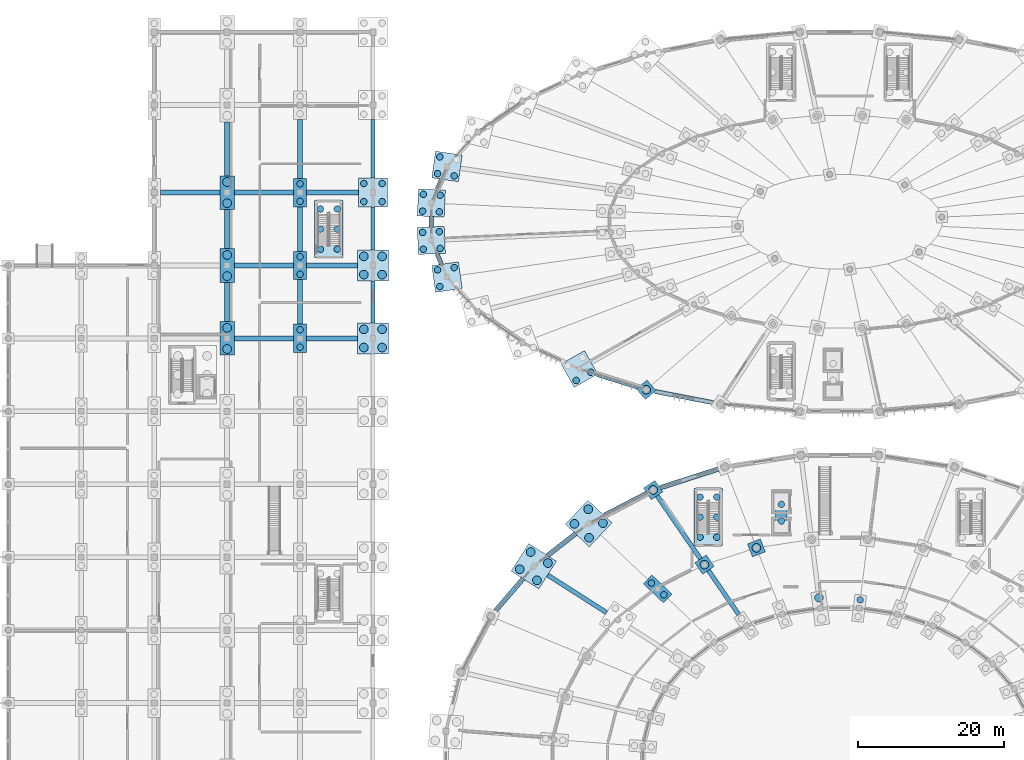
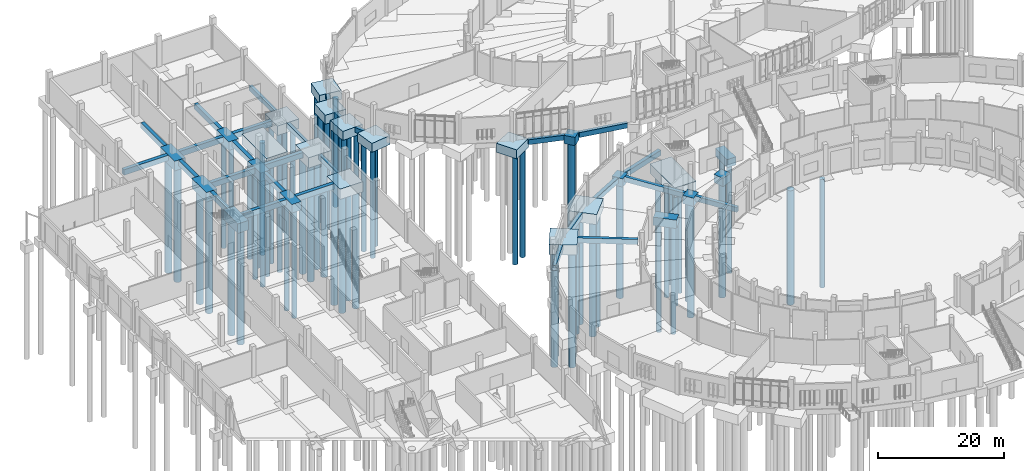
# One storey, part 5 of 140: 70 piles, 52 footings.
"""IFC4 building model written with IfcOpenShell, lengths in metres."""

from ifc_helpers import new_model, si_unit, direction, frame, origin, origin_2d, place, context, subcontext, project, spatial, rectangle, circle, extrude, material, layer, layer_set, material_profile, profile_set, type_object, element, save


model = new_model("IFC4")

# Units and contexts
model_context = context("Model", 3, precision=1e-05, world=origin(), true_north=direction((0.0, 1.0)))
body_context = subcontext(model_context, "Body", "Model", "MODEL_VIEW")
ifc_project = project(units=[si_unit("LENGTHUNIT", "METRE"), si_unit("AREAUNIT", "SQUARE_METRE"), si_unit("VOLUMEUNIT", "CUBIC_METRE"), si_unit("PLANEANGLEUNIT", "RADIAN"), si_unit("MASSUNIT", "GRAM", prefix="KILO")], contexts=[model_context])

# Site, building, storey
site_placement = place(None, origin())
site = spatial("IfcSite", under=ifc_project, at=site_placement, CompositionType="ELEMENT")
building_placement = place(site_placement, origin())
building = spatial("IfcBuilding", under=site, at=building_placement, Name="Corvandel Quay Wholesale Market", CompositionType="ELEMENT")
storey_placement = place(building_placement, origin())
storey = spatial("IfcBuildingStorey", under=building, at=storey_placement, Name="L00", CompositionType="ELEMENT", Elevation=0.0)

# Piles
ifc_material = material(Name="Concrete C40/50", Category="concrete")
ifc_material_profile_1 = material_profile(ifc_material, circle(Radius=0.60009765625, at=origin_2d()), Name="RC-PILE-D1200")
ifc_profile_set_1 = profile_set([ifc_material_profile_1], Name="Concrete C40/50")
pile_type_1 = type_object("IfcPileType", Name="Bored Pile D1200 L22.2", PredefinedType="BORED", material=ifc_profile_set_1)
for number, where, z_axis, x_axis, name in (
    (1, (111.158935546875, 64.43896484375, -1.75), (0.0, 0.0, -1.0), (1.0, 0.0, 0.0), "Bored Pile PIL-0184"),
    (2, (102.580078125, 71.280029296875, -1.5), (0.0, 0.0, -1.0), (1.0, 0.0, 0.0), "Bored Pile PIL-0186"),
    (3, (88.4208984375, 79.219970703125, -1.5), (0.0, 0.0, -1.0), (1.0, 0.0, 0.0), "Bored Pile PIL-0189"),
    (4, (95.4560546875, 68.98388671875, -1.5), (0.0, 0.0, -1.0), (1.0, 0.0, 0.0), "Bored Pile PIL-0190"),
    (5, (79.62890625, 72.673095703125, -1.860107421875), (0.0, 0.0, -1.0), (1.0, 0.0, 0.0), "Bored Pile PIL-0193"),
    (6, (81.528076171875, 74.676025390625, -1.860107421875), (0.0, 0.0, -1.0), (1.0, 0.0, 0.0), "Bored Pile PIL-0194"),
    (7, (77.6259765625, 74.572021484375, -1.860107421875), (0.0, 0.0, -1.0), (1.0, 0.0, 0.0), "Bored Pile PIL-0195"),
    (8, (79.52490234375, 76.574951171875, -1.860107421875), (0.0, 0.0, -1.0), (1.0, 0.0, 0.0), "Bored Pile PIL-0196"),
    (9, (72.48193359375, 66.840087890625, -1.85009765625), (0.0, 0.0, -1.0), (1.0, 0.0, 0.0), "Bored Pile PIL-0201"),
    (10, (73.988037109375, 69.199951171875, -1.85009765625), (0.0, 0.0, -1.0), (1.0, 0.0, 0.0), "Bored Pile PIL-0202"),
    (11, (70.1220703125, 68.345947265625, -1.85009765625), (0.0, 0.0, -1.0), (1.0, 0.0, 0.0), "Bored Pile PIL-0203"),
    (12, (71.6279296875, 70.7060546875, -1.85009765625), (0.0, 0.0, -1.0), (1.0, 0.0, 0.0), "Bored Pile PIL-0204"),
    (13, (87.47412109375, 92.958984375, -1.5), (0.0, 0.0, -1.0), (1.0, 0.0, 0.0), "Bored Pile PIL-0451"),
    (14, (30.0, 98.550048828125, -1.75), (0.0, 0.0, -1.0), (1.0, 0.0, 0.0), "Bored Pile PIL-0656"),
    (15, (30.0, 101.449951171875, -1.75), (0.0, 0.0, -1.0), (1.0, 0.0, 0.0), "Bored Pile PIL-0657"),
    (16, (30.0, 108.550048828125, -1.75), (0.0, 0.0, -1.0), (1.0, 0.0, 0.0), "Bored Pile PIL-0658"),
    (17, (30.0, 111.449951171875, -1.75), (0.0, 0.0, -1.0), (1.0, 0.0, 0.0), "Bored Pile PIL-0659"),
    (18, (30.0, 118.550048828125, -1.75), (0.0, 0.0, -1.0), (1.0, 0.0, 0.0), "Bored Pile PIL-0660"),
    (19, (30.0, 121.449951171875, -1.75), (0.0, 0.0, -1.0), (1.0, 0.0, 0.0), "Bored Pile PIL-0661"),
):
    element("IfcPile", number, at=place(storey_placement, frame(where, z_axis=z_axis, x_axis=x_axis)), inside=storey, type_object=pile_type_1, Name=name, PredefinedType="BORED", context=body_context, shape_type="SweptSolid", body=[
        extrude(circle(Radius=0.60009765625, at=origin_2d()), origin(), (0.0, 0.0, 1.0), 22.199951171875),
    ])
ifc_material_profile_2 = material_profile(ifc_material, circle(Radius=0.60009765625, at=origin_2d()), Name="RC-PILE-D1200")
ifc_profile_set_2 = profile_set([ifc_material_profile_2], Name="Concrete C40/50")
pile_type_2 = type_object("IfcPileType", Name="Bored Pile D1200 L22.6", PredefinedType="BORED", material=ifc_profile_set_2)
for number, where, z_axis, x_axis, name in (
    (20, (48.75, 98.75, -1.89990234375), (0.0, 0.0, -1.0), (1.0, 0.0, 0.0), "Bored Pile PIL-0730"),
    (21, (51.25, 98.75, -1.89990234375), (0.0, 0.0, -1.0), (1.0, 0.0, 0.0), "Bored Pile PIL-0731"),
    (22, (48.75, 101.25, -1.89990234375), (0.0, 0.0, -1.0), (1.0, 0.0, 0.0), "Bored Pile PIL-0732"),
    (23, (51.25, 101.25, -1.89990234375), (0.0, 0.0, -1.0), (1.0, 0.0, 0.0), "Bored Pile PIL-0733"),
    (24, (48.75, 108.75, -1.89990234375), (0.0, 0.0, -1.0), (1.0, 0.0, 0.0), "Bored Pile PIL-0734"),
    (25, (51.25, 108.75, -1.89990234375), (0.0, 0.0, -1.0), (1.0, 0.0, 0.0), "Bored Pile PIL-0735"),
    (26, (48.75, 111.25, -1.89990234375), (0.0, 0.0, -1.0), (1.0, 0.0, 0.0), "Bored Pile PIL-0736"),
    (27, (51.25, 111.25, -1.89990234375), (0.0, 0.0, -1.0), (1.0, 0.0, 0.0), "Bored Pile PIL-0737"),
):
    element("IfcPile", number, at=place(storey_placement, frame(where, z_axis=z_axis, x_axis=x_axis)), inside=storey, type_object=pile_type_2, Name=name, PredefinedType="BORED", context=body_context, shape_type="SweptSolid", body=[
        extrude(circle(Radius=0.60009765625, at=origin_2d()), origin(), (0.0, 0.0, 1.0), 22.60009765625),
    ])
ifc_material_profile_3 = material_profile(ifc_material, circle(Radius=0.449951171875, at=origin_2d()), Name="RC-PILE-D900")
ifc_profile_set_3 = profile_set([ifc_material_profile_3], Name="Concrete C40/50")
pile_type_3 = type_object("IfcPileType", Name="Bored Pile D900 L21.0", PredefinedType="BORED", material=ifc_profile_set_3)
for number, where, z_axis, x_axis, name in (
    (28, (106.0, 74.949951171875, -1.5), (0.0, 0.0, -1.0), (1.0, 0.0, 0.0), "Bored Pile PIL-0007"),
    (29, (106.0, 77.25, -1.5), (0.0, 0.0, -1.0), (1.0, 0.0, 0.0), "Bored Pile PIL-0008"),
    (30, (116.803955078125, 64.14111328125, -1.5), (0.0, 0.0, -1.0), (1.0, 0.0, 0.0), "Bored Pile PIL-0179"),
    (31, (89.89990234375, 64.840087890625, -1.52001953125), (0.0, 0.0, -1.0), (1.0, 0.0, 0.0), "Bored Pile PIL-0197"),
    (32, (88.18603515625, 66.464111328125, -1.52001953125), (0.0, 0.0, -1.0), (1.0, 0.0, 0.0), "Bored Pile PIL-0198"),
    (33, (61.1298828125, 122.284912109375, -1.64990234375), (0.0, 0.0, -1.0), (1.0, 0.0, 0.0), "Bored Pile PIL-0407"),
    (34, (58.85302734375, 122.60595703125, -1.64990234375), (0.0, 0.0, -1.0), (1.0, 0.0, 0.0), "Bored Pile PIL-0409"),
    (35, (59.174072265625, 124.883056640625, -1.64990234375), (0.0, 0.0, -1.0), (1.0, 0.0, 0.0), "Bored Pile PIL-0410"),
    (36, (59.095947265625, 117.360107421875, -1.64990234375), (0.0, 0.0, -1.0), (1.0, 0.0, 0.0), "Bored Pile PIL-0413"),
    (37, (59.200927734375, 119.656982421875, -1.64990234375), (0.0, 0.0, -1.0), (1.0, 0.0, 0.0), "Bored Pile PIL-0414"),
    (38, (56.799072265625, 117.465087890625, -1.64990234375), (0.0, 0.0, -1.0), (1.0, 0.0, 0.0), "Bored Pile PIL-0415"),
    (39, (56.904052734375, 119.761962890625, -1.64990234375), (0.0, 0.0, -1.0), (1.0, 0.0, 0.0), "Bored Pile PIL-0416"),
    (40, (59.200927734375, 112.343017578125, -1.64990234375), (0.0, 0.0, -1.0), (1.0, 0.0, 0.0), "Bored Pile PIL-0419"),
    (41, (59.095947265625, 114.639892578125, -1.64990234375), (0.0, 0.0, -1.0), (1.0, 0.0, 0.0), "Bored Pile PIL-0420"),
    (42, (56.904052734375, 112.238037109375, -1.64990234375), (0.0, 0.0, -1.0), (1.0, 0.0, 0.0), "Bored Pile PIL-0421"),
    (43, (56.799072265625, 114.534912109375, -1.64990234375), (0.0, 0.0, -1.0), (1.0, 0.0, 0.0), "Bored Pile PIL-0422"),
    (44, (61.1298828125, 109.715087890625, -1.64990234375), (0.0, 0.0, -1.0), (1.0, 0.0, 0.0), "Bored Pile PIL-0427"),
    (45, (59.174072265625, 107.116943359375, -1.64990234375), (0.0, 0.0, -1.0), (1.0, 0.0, 0.0), "Bored Pile PIL-0428"),
    (46, (58.85302734375, 109.39404296875, -1.64990234375), (0.0, 0.0, -1.0), (1.0, 0.0, 0.0), "Bored Pile PIL-0429"),
    (47, (79.868896484375, 95.368896484375, -1.64990234375), (0.0, 0.0, -1.0), (1.0, 0.0, 0.0), "Bored Pile PIL-0444"),
    (48, (77.866943359375, 94.237060546875, -1.64990234375), (0.0, 0.0, -1.0), (1.0, 0.0, 0.0), "Bored Pile PIL-0446"),
    (49, (40.0, 98.800048828125, -1.550048828125), (0.0, 0.0, -1.0), (1.0, 0.0, 0.0), "Bored Pile PIL-0684"),
    (50, (40.0, 101.199951171875, -1.550048828125), (0.0, 0.0, -1.0), (1.0, 0.0, 0.0), "Bored Pile PIL-0685"),
    (51, (40.0, 108.800048828125, -1.550048828125), (0.0, 0.0, -1.0), (1.0, 0.0, 0.0), "Bored Pile PIL-0686"),
    (52, (40.0, 111.199951171875, -1.550048828125), (0.0, 0.0, -1.0), (1.0, 0.0, 0.0), "Bored Pile PIL-0687"),
    (53, (40.0, 118.800048828125, -1.550048828125), (0.0, 0.0, -1.0), (1.0, 0.0, 0.0), "Bored Pile PIL-0688"),
    (54, (40.0, 121.199951171875, -1.550048828125), (0.0, 0.0, -1.0), (1.0, 0.0, 0.0), "Bored Pile PIL-0689"),
):
    element("IfcPile", number, at=place(storey_placement, frame(where, z_axis=z_axis, x_axis=x_axis)), inside=storey, type_object=pile_type_3, Name=name, PredefinedType="BORED", context=body_context, shape_type="SweptSolid", body=[
        extrude(circle(Radius=0.449951171875, at=origin_2d()), origin(), (0.0, 0.0, 1.0), 21.0),
    ])
ifc_material_profile_4 = material_profile(ifc_material, circle(Radius=0.449951171875, at=origin_2d()), Name="RC-PILE-D900")
ifc_profile_set_4 = profile_set([ifc_material_profile_4], Name="Concrete C40/50")
pile_type_4 = type_object("IfcPileType", Name="Bored Pile D900 L21.8", PredefinedType="BORED", material=ifc_profile_set_4)
for number, where, z_axis, x_axis, name in (
    (55, (94.85009765625, 72.75, -1.800048828125), (0.0, 0.0, -1.0), (1.0, 0.0, 0.0), "Bored Pile PIL-0001"),
    (56, (97.14990234375, 72.75, -1.800048828125), (0.0, 0.0, -1.0), (1.0, 0.0, 0.0), "Bored Pile PIL-0002"),
    (57, (94.85009765625, 75.5, -1.800048828125), (0.0, 0.0, -1.0), (1.0, 0.0, 0.0), "Bored Pile PIL-0003"),
    (58, (97.14990234375, 75.5, -1.800048828125), (0.0, 0.0, -1.0), (1.0, 0.0, 0.0), "Bored Pile PIL-0004"),
    (59, (94.85009765625, 78.25, -1.800048828125), (0.0, 0.0, -1.0), (1.0, 0.0, 0.0), "Bored Pile PIL-0005"),
    (60, (97.14990234375, 78.25, -1.800048828125), (0.0, 0.0, -1.0), (1.0, 0.0, 0.0), "Bored Pile PIL-0006"),
    (61, (42.800048828125, 112.25, -1.800048828125), (0.0, 0.0, -1.0), (1.0, 0.0, 0.0), "Bored Pile PIL-0095"),
    (62, (45.10009765625, 112.25, -1.800048828125), (0.0, 0.0, -1.0), (1.0, 0.0, 0.0), "Bored Pile PIL-0096"),
    (63, (42.800048828125, 115.0, -1.800048828125), (0.0, 0.0, -1.0), (1.0, 0.0, 0.0), "Bored Pile PIL-0097"),
    (64, (45.10009765625, 115.0, -1.800048828125), (0.0, 0.0, -1.0), (1.0, 0.0, 0.0), "Bored Pile PIL-0098"),
    (65, (42.800048828125, 117.75, -1.800048828125), (0.0, 0.0, -1.0), (1.0, 0.0, 0.0), "Bored Pile PIL-0099"),
    (66, (45.10009765625, 117.75, -1.800048828125), (0.0, 0.0, -1.0), (1.0, 0.0, 0.0), "Bored Pile PIL-0100"),
    (67, (48.75, 118.75, -1.75), (0.0, 0.0, -1.0), (1.0, 0.0, 0.0), "Bored Pile PIL-0738"),
    (68, (51.25, 118.75, -1.75), (0.0, 0.0, -1.0), (1.0, 0.0, 0.0), "Bored Pile PIL-0739"),
    (69, (48.75, 121.25, -1.75), (0.0, 0.0, -1.0), (1.0, 0.0, 0.0), "Bored Pile PIL-0740"),
    (70, (51.25, 121.25, -1.75), (0.0, 0.0, -1.0), (1.0, 0.0, 0.0), "Bored Pile PIL-0741"),
):
    element("IfcPile", number, at=place(storey_placement, frame(where, z_axis=z_axis, x_axis=x_axis)), inside=storey, type_object=pile_type_4, Name=name, PredefinedType="BORED", context=body_context, shape_type="SweptSolid", body=[
        extrude(circle(Radius=0.449951171875, at=origin_2d()), origin(), (0.0, 0.0, 1.0), 21.800048828125),
    ])

# Footings
ifc_layer_1 = layer(ifc_material, 1.050048828125)
ifc_layer_set_1 = layer_set([ifc_layer_1], Name="Concrete C40/50")
footing_type_1 = type_object("IfcFootingType", Name="Cold Store Grade Beam GB04 650x1050", PredefinedType="FOOTING_BEAM", material=ifc_layer_set_1)
footing_1_placement = place(storey_placement, frame((35.06201171875, 100.0, -1.0498046875), z_axis=(0.0, 0.0, 1.0), x_axis=(1.0, 0.0, 0.0)))
element("IfcFooting", 71, at=footing_1_placement, inside=storey, type_object=footing_type_1, Name="Grade Beam FND-0535", PredefinedType="FOOTING_BEAM", context=body_context, shape_type="SweptSolid", body=[
    extrude(rectangle(XDim=8.125, YDim=0.64990234375, at=origin_2d()), origin(), (0.0, 0.0, 1.0), 1.050048828125),
])
footing_2_placement = place(storey_placement, frame((44.387939453125, 100.0, -1.0498046875), z_axis=(0.0, 0.0, 1.0), x_axis=(1.0, 0.0, 0.0)))
element("IfcFooting", 72, at=footing_2_placement, inside=storey, type_object=footing_type_1, Name="Grade Beam FND-0536", PredefinedType="FOOTING_BEAM", context=body_context, shape_type="SweptSolid", body=[
    extrude(rectangle(XDim=7.02490234375, YDim=0.64990234375, at=origin_2d()), origin(), (0.0, 0.0, 1.0), 1.050048828125),
])
footing_3_placement = place(storey_placement, frame((35.06201171875, 110.0, -1.0498046875), z_axis=(0.0, 0.0, 1.0), x_axis=(1.0, 0.0, 0.0)))
element("IfcFooting", 73, at=footing_3_placement, inside=storey, type_object=footing_type_1, Name="Grade Beam FND-0540", PredefinedType="FOOTING_BEAM", context=body_context, shape_type="SweptSolid", body=[
    extrude(rectangle(XDim=8.125, YDim=0.64990234375, at=origin_2d()), origin(), (0.0, 0.0, 1.0), 1.050048828125),
])
footing_4_placement = place(storey_placement, frame((44.387939453125, 110.0, -1.0498046875), z_axis=(0.0, 0.0, 1.0), x_axis=(1.0, 0.0, 0.0)))
element("IfcFooting", 74, at=footing_4_placement, inside=storey, type_object=footing_type_1, Name="Grade Beam FND-0541", PredefinedType="FOOTING_BEAM", context=body_context, shape_type="SweptSolid", body=[
    extrude(rectangle(XDim=7.02490234375, YDim=0.64990234375, at=origin_2d()), origin(), (0.0, 0.0, 1.0), 1.050048828125),
])
for number, where, z_axis, x_axis, name in (
    (75, (24.93798828125, 120.0, -1.0498046875), (0.0, 0.0, 1.0), (1.0, 0.0, 0.0), "Grade Beam FND-0542"),
    (76, (35.06201171875, 120.0, -1.0498046875), (0.0, 0.0, 1.0), (1.0, 0.0, 0.0), "Grade Beam FND-0543"),
):
    element("IfcFooting", number, at=place(storey_placement, frame(where, z_axis=z_axis, x_axis=x_axis)), inside=storey, type_object=footing_type_1, Name=name, PredefinedType="FOOTING_BEAM", context=body_context, shape_type="SweptSolid", body=[
        extrude(rectangle(XDim=8.125, YDim=0.64990234375, at=origin_2d()), origin(), (0.0, 0.0, 1.0), 1.050048828125),
    ])
footing_5_placement = place(storey_placement, frame((44.43798828125, 120.0, -1.0498046875), z_axis=(0.0, 0.0, 1.0), x_axis=(1.0, 0.0, 0.0)))
element("IfcFooting", 77, at=footing_5_placement, inside=storey, type_object=footing_type_1, Name="Grade Beam FND-0544", PredefinedType="FOOTING_BEAM", context=body_context, shape_type="SweptSolid", body=[
    extrude(rectangle(XDim=7.125, YDim=0.64990234375, at=origin_2d()), origin(), (0.0, 0.0, 1.0), 1.050048828125),
])
for number, where, z_axis, x_axis, name in (
    (78, (30.0, 105.0, -1.0498046875), (0.0, 0.0, 1.0), (0.0, 1.0, 0.0), "Grade Beam FND-0593"),
    (79, (30.0, 115.0, -1.0498046875), (0.0, 0.0, 1.0), (0.0, 1.0, 0.0), "Grade Beam FND-0594"),
):
    element("IfcFooting", number, at=place(storey_placement, frame(where, z_axis=z_axis, x_axis=x_axis)), inside=storey, type_object=footing_type_1, Name=name, PredefinedType="FOOTING_BEAM", context=body_context, shape_type="SweptSolid", body=[
        extrude(rectangle(XDim=5.39990234375, YDim=0.64990234375, at=origin_2d()), origin(), (0.0, 0.0, 1.0), 1.050048828125),
    ])
footing_6_placement = place(storey_placement, frame((30.0, 126.0, -1.0498046875), z_axis=(0.0, 0.0, 1.0), x_axis=(0.0, 1.0, 0.0)))
element("IfcFooting", 80, at=footing_6_placement, inside=storey, type_object=footing_type_1, Name="Grade Beam FND-0595", PredefinedType="FOOTING_BEAM", context=body_context, shape_type="SweptSolid", body=[
    extrude(rectangle(XDim=7.39990234375, YDim=0.64990234375, at=origin_2d()), origin(), (0.0, 0.0, 1.0), 1.050048828125),
])
for number, where, z_axis, x_axis, name in (
    (81, (40.0, 105.0, -1.0498046875), (0.0, 0.0, 1.0), (0.0, 1.0, 0.0), "Grade Beam FND-0606"),
    (82, (40.0, 115.0, -1.0498046875), (0.0, 0.0, 1.0), (0.0, 1.0, 0.0), "Grade Beam FND-0607"),
):
    element("IfcFooting", number, at=place(storey_placement, frame(where, z_axis=z_axis, x_axis=x_axis)), inside=storey, type_object=footing_type_1, Name=name, PredefinedType="FOOTING_BEAM", context=body_context, shape_type="SweptSolid", body=[
        extrude(rectangle(XDim=6.10009765625, YDim=0.64990234375, at=origin_2d()), origin(), (0.0, 0.0, 1.0), 1.050048828125),
    ])
footing_7_placement = place(storey_placement, frame((40.0, 126.0, -1.0498046875), z_axis=(0.0, 0.0, 1.0), x_axis=(0.0, 1.0, 0.0)))
element("IfcFooting", 83, at=footing_7_placement, inside=storey, type_object=footing_type_1, Name="Grade Beam FND-0608", PredefinedType="FOOTING_BEAM", context=body_context, shape_type="SweptSolid", body=[
    extrude(rectangle(XDim=8.10009765625, YDim=0.64990234375, at=origin_2d()), origin(), (0.0, 0.0, 1.0), 1.050048828125),
])
ifc_layer_2 = layer(ifc_material, 0.89990234375)
ifc_layer_set_2 = layer_set([ifc_layer_2], Name="Concrete C40/50")
footing_type_2 = type_object("IfcFootingType", Name="Perimeter Grade Beam GB03 550x900", PredefinedType="FOOTING_BEAM", material=ifc_layer_set_2)
footing_8_placement = place(storey_placement, frame((50.0, 105.0, -0.89990234375), z_axis=(0.0, 0.0, 1.0), x_axis=(0.0, 1.0, 0.0)))
element("IfcFooting", 84, at=footing_8_placement, inside=storey, type_object=footing_type_2, Name="Grade Beam FND-0619", PredefinedType="FOOTING_BEAM", context=body_context, shape_type="SweptSolid", body=[
    extrude(rectangle(XDim=5.800048828125, YDim=0.550048828125, at=origin_2d()), origin(), (0.0, 0.0, 1.0), 0.89990234375),
])
footing_9_placement = place(storey_placement, frame((50.0, 115.050048828125, -0.89990234375), z_axis=(0.0, 0.0, 1.0), x_axis=(0.0, 1.0, 0.0)))
element("IfcFooting", 85, at=footing_9_placement, inside=storey, type_object=footing_type_2, Name="Grade Beam FND-0620", PredefinedType="FOOTING_BEAM", context=body_context, shape_type="SweptSolid", body=[
    extrude(rectangle(XDim=5.89990234375, YDim=0.550048828125, at=origin_2d()), origin(), (0.0, 0.0, 1.0), 0.89990234375),
])
footing_10_placement = place(storey_placement, frame((50.0, 126.0, -0.89990234375), z_axis=(0.0, 0.0, 1.0), x_axis=(0.0, 1.0, 0.0)))
element("IfcFooting", 86, at=footing_10_placement, inside=storey, type_object=footing_type_2, Name="Grade Beam FND-0621", PredefinedType="FOOTING_BEAM", context=body_context, shape_type="SweptSolid", body=[
    extrude(rectangle(XDim=8.0, YDim=0.550048828125, at=origin_2d()), origin(), (0.0, 0.0, 1.0), 0.89990234375),
])
ifc_layer_3 = layer(ifc_material, 1.60009765625)
ifc_layer_set_3 = layer_set([ifc_layer_3], Name="Concrete C40/50")
footing_type_3 = type_object("IfcFootingType", Name="Pile Cap PC01 1600x3700x1600", PredefinedType="PILE_CAP", material=ifc_layer_set_3)
footing_11_placement = place(storey_placement, frame((106.0, 76.10009765625, -1.60009765625), z_axis=(0.0, 0.0, 1.0), x_axis=(1.0, 0.0, 0.0)))
element("IfcFooting", 87, at=footing_11_placement, inside=storey, type_object=footing_type_3, Name="Pile Cap FND-0002", PredefinedType="PILE_CAP", context=body_context, shape_type="SweptSolid", body=[
    extrude(rectangle(XDim=1.60009765625, YDim=3.699951171875, at=origin_2d()), origin(), (0.0, 0.0, 1.0), 1.60009765625),
])
ifc_layer_4 = layer(ifc_material, 1.64990234375)
ifc_layer_set_4 = layer_set([ifc_layer_4], Name="Concrete C40/50")
footing_type_4 = type_object("IfcFootingType", Name="Pile Cap PC03 1750x3900x1650", PredefinedType="PILE_CAP", material=ifc_layer_set_4)
for number, where, z_axis, x_axis, name in (
    (88, (40.0, 100.0, -1.64990234375), (0.0, 0.0, 1.0), (1.0, 0.0, 0.0), "Pile Cap FND-0468"),
    (89, (40.0, 110.0, -1.64990234375), (0.0, 0.0, 1.0), (1.0, 0.0, 0.0), "Pile Cap FND-0469"),
    (90, (40.0, 120.0, -1.64990234375), (0.0, 0.0, 1.0), (1.0, 0.0, 0.0), "Pile Cap FND-0470"),
):
    element("IfcFooting", number, at=place(storey_placement, frame(where, z_axis=z_axis, x_axis=x_axis)), inside=storey, type_object=footing_type_4, Name=name, PredefinedType="PILE_CAP", context=body_context, shape_type="SweptSolid", body=[
        extrude(rectangle(XDim=1.75, YDim=3.89990234375, at=origin_2d()), origin(), (0.0, 0.0, 1.0), 1.64990234375),
    ])
ifc_layer_5 = layer(ifc_material, 1.75)
ifc_layer_set_5 = layer_set([ifc_layer_5], Name="Concrete C40/50")
footing_type_5 = type_object("IfcFootingType", Name="Pile Cap PC05 3700x3700x1750", PredefinedType="PILE_CAP", material=ifc_layer_set_5)
for number, where, z_axis, x_axis, name in (
    (91, (60.152099609375, 123.583984375, -1.75), (0.0, 0.0, 1.0), (0.13951876124, 0.990219427835, 0.0), "Pile Cap FND-0247"),
    (92, (58.0, 118.56103515625, -1.75), (0.0, 0.0, 1.0), (0.04571169187, 0.99895467426, 0.0), "Pile Cap FND-0249"),
    (93, (58.0, 113.43896484375, -1.75), (0.0, 0.0, 1.0), (-0.04571169187, 0.99895467426, 0.0), "Pile Cap FND-0251"),
    (94, (60.152099609375, 108.416015625, -1.75), (0.0, 0.0, 1.0), (-0.13951876124, 0.990219427835, 0.0), "Pile Cap FND-0254"),
    (95, (78.302001953125, 95.803955078125, -1.75), (0.0, 0.0, 1.0), (-0.492423560103, 0.87035569594, 0.0), "Pile Cap FND-0260"),
):
    element("IfcFooting", number, at=place(storey_placement, frame(where, z_axis=z_axis, x_axis=x_axis)), inside=storey, type_object=footing_type_5, Name=name, PredefinedType="PILE_CAP", context=body_context, shape_type="SweptSolid", body=[
        extrude(rectangle(XDim=3.699951171875, YDim=3.699951171875, at=origin_2d()), origin(), (0.0, 0.0, 1.0), 1.75),
    ])
ifc_layer_6 = layer(ifc_material, 1.85009765625)
ifc_layer_set_6 = layer_set([ifc_layer_6], Name="Concrete C40/50")
footing_type_6 = type_object("IfcFootingType", Name="Pile Cap PC07 4000x4000x1850", PredefinedType="PILE_CAP", material=ifc_layer_set_6)
footing_12_placement = place(storey_placement, frame((50.0, 120.0, -1.85009765625), z_axis=(0.0, 0.0, 1.0), x_axis=(1.0, 0.0, 0.0)))
element("IfcFooting", 96, at=footing_12_placement, inside=storey, type_object=footing_type_6, Name="Pile Cap FND-0484", PredefinedType="PILE_CAP", context=body_context, shape_type="SweptSolid", body=[
    extrude(rectangle(XDim=4.0, YDim=4.0, at=origin_2d()), origin(), (0.0, 0.0, 1.0), 1.85009765625),
])
ifc_layer_7 = layer(ifc_material, 1.85009765625)
ifc_layer_set_7 = layer_set([ifc_layer_7], Name="Concrete C40/50")
footing_type_7 = type_object("IfcFootingType", Name="Pile Cap PC09 2000x4600x1850", PredefinedType="PILE_CAP", material=ifc_layer_set_7)
for number, where, z_axis, x_axis, name in (
    (97, (30.0, 100.0, -1.85009765625), (0.0, 0.0, 1.0), (1.0, 0.0, 0.0), "Pile Cap FND-0454"),
    (98, (30.0, 110.0, -1.85009765625), (0.0, 0.0, 1.0), (1.0, 0.0, 0.0), "Pile Cap FND-0455"),
    (99, (30.0, 120.0, -1.85009765625), (0.0, 0.0, 1.0), (1.0, 0.0, 0.0), "Pile Cap FND-0456"),
):
    element("IfcFooting", number, at=place(storey_placement, frame(where, z_axis=z_axis, x_axis=x_axis)), inside=storey, type_object=footing_type_7, Name=name, PredefinedType="PILE_CAP", context=body_context, shape_type="SweptSolid", body=[
        extrude(rectangle(XDim=2.0, YDim=4.60009765625, at=origin_2d()), origin(), (0.0, 0.0, 1.0), 1.85009765625),
    ])
ifc_layer_8 = layer(ifc_material, 1.949951171875)
ifc_layer_set_8 = layer_set([ifc_layer_8], Name="Concrete C40/50")
footing_type_8 = type_object("IfcFootingType", Name="Pile Cap PC11 4500x4500x1950", PredefinedType="PILE_CAP", material=ifc_layer_set_8)
footing_13_placement = place(storey_placement, frame((72.054931640625, 68.77294921875, -1.9501953125), z_axis=(0.0, 0.0, 1.0), x_axis=(0.538035401546, 0.842922242371, 0.0)))
element("IfcFooting", 100, at=footing_13_placement, inside=storey, type_object=footing_type_8, Name="Pile Cap FND-0059", PredefinedType="PILE_CAP", context=body_context, shape_type="SweptSolid", body=[
    extrude(rectangle(XDim=4.5, YDim=4.5, at=origin_2d()), origin(), (0.0, 0.0, 1.0), 1.949951171875),
])
ifc_layer_9 = layer(ifc_material, 2.0)
ifc_layer_set_9 = layer_set([ifc_layer_9], Name="Concrete C40/50")
footing_type_9 = type_object("IfcFootingType", Name="Pile Cap PC12 4200x4200x2000", PredefinedType="PILE_CAP", material=ifc_layer_set_9)
for number, where, z_axis, x_axis, name in (
    (101, (50.0, 100.0, -2.0), (0.0, 0.0, 1.0), (1.0, 0.0, 0.0), "Pile Cap FND-0482"),
    (102, (50.0, 110.0, -2.0), (0.0, 0.0, 1.0), (1.0, 0.0, 0.0), "Pile Cap FND-0483"),
):
    element("IfcFooting", number, at=place(storey_placement, frame(where, z_axis=z_axis, x_axis=x_axis)), inside=storey, type_object=footing_type_9, Name=name, PredefinedType="PILE_CAP", context=body_context, shape_type="SweptSolid", body=[
        extrude(rectangle(XDim=4.199951171875, YDim=4.199951171875, at=origin_2d()), origin(), (0.0, 0.0, 1.0), 2.0),
    ])
ifc_layer_10 = layer(ifc_material, 1.60009765625)
ifc_layer_set_10 = layer_set([ifc_layer_10], Name="Concrete C40/50")
footing_type_10 = type_object("IfcFootingType", Name="Pile Cap PC16 1900x1900x1600", PredefinedType="PILE_CAP", material=ifc_layer_set_10)
for number, where, z_axis, x_axis, name in (
    (103, (102.580078125, 71.280029296875, -1.60009765625), (0.0, 0.0, 1.0), (0.931627814096, 0.363413835735, 0.0), "Pile Cap FND-0051"),
    (104, (88.4208984375, 79.219970703125, -1.60009765625), (0.0, 0.0, 1.0), (0.824126188622, 0.566406236925, 0.0), "Pile Cap FND-0053"),
    (105, (95.4560546875, 68.98388671875, -1.60009765625), (0.0, 0.0, 1.0), (0.824126188622, 0.566406236925, 0.0), "Pile Cap FND-0054"),
    (106, (87.47412109375, 92.958984375, -1.60009765625), (0.0, 0.0, 1.0), (-0.655795545685, 0.754938542041, 0.0), "Pile Cap FND-0263"),
):
    element("IfcFooting", number, at=place(storey_placement, frame(where, z_axis=z_axis, x_axis=x_axis)), inside=storey, type_object=footing_type_10, Name=name, PredefinedType="PILE_CAP", context=body_context, shape_type="SweptSolid", body=[
        extrude(rectangle(XDim=1.89990234375, YDim=1.89990234375, at=origin_2d()), origin(), (0.0, 0.0, 1.0), 1.60009765625),
    ])
ifc_layer_11 = layer(ifc_material, 1.6201171875)
ifc_layer_set_11 = layer_set([ifc_layer_11], Name="Concrete C40/50")
footing_type_11 = type_object("IfcFootingType", Name="Pile Cap PC21 1680x3800x1620", PredefinedType="PILE_CAP", material=ifc_layer_set_11)
footing_14_placement = place(storey_placement, frame((89.04296875, 65.652099609375, -1.6201171875), z_axis=(0.0, 0.0, 1.0), x_axis=(0.687848001144, 0.725854756355, 0.0)))
element("IfcFooting", 107, at=footing_14_placement, inside=storey, type_object=footing_type_11, Name="Pile Cap FND-0057", PredefinedType="PILE_CAP", context=body_context, shape_type="SweptSolid", body=[
    extrude(rectangle(XDim=1.679931640625, YDim=3.800048828125, at=origin_2d()), origin(), (0.0, 0.0, 1.0), 1.6201171875),
])
ifc_layer_12 = layer(ifc_material, 1.9599609375)
ifc_layer_set_12 = layer_set([ifc_layer_12], Name="Concrete C40/50")
footing_type_12 = type_object("IfcFootingType", Name="Pile Cap PC23 4520x4520x1960", PredefinedType="PILE_CAP", material=ifc_layer_set_12)
footing_15_placement = place(storey_placement, frame((79.576904296875, 74.6240234375, -1.9599609375), z_axis=(0.0, 0.0, 1.0), x_axis=(0.687848001144, 0.725854756355, 0.0)))
element("IfcFooting", 108, at=footing_15_placement, inside=storey, type_object=footing_type_12, Name="Pile Cap FND-0056", PredefinedType="PILE_CAP", context=body_context, shape_type="SweptSolid", body=[
    extrude(rectangle(XDim=4.52001953125, YDim=4.52001953125, at=origin_2d()), origin(), (0.0, 0.0, 1.0), 1.9599609375),
])
ifc_layer_13 = layer(ifc_material, 0.949951171875)
ifc_layer_set_13 = layer_set([ifc_layer_13], Name="Concrete C40/50")
footing_type_13 = type_object("IfcFootingType", Name="Seismic Tie Beam GB01 600x950", PredefinedType="FOOTING_BEAM", material=ifc_layer_set_13)
footing_16_placement = place(storey_placement, frame((91.93896484375, 74.10205078125, -0.9501953125), z_axis=(0.0, 0.0, 1.0), x_axis=(-0.566406236925, 0.824126188622, 0.0)))
element("IfcFooting", 109, at=footing_16_placement, inside=storey, type_object=footing_type_13, Name="Grade Beam FND-0151", PredefinedType="FOOTING_BEAM", context=body_context, shape_type="SweptSolid", body=[
    extrude(rectangle(XDim=10.52001953125, YDim=0.60009765625, at=origin_2d()), origin(), (0.0, 0.0, 1.0), 0.949951171875),
])
footing_17_placement = place(storey_placement, frame((98.0791015625, 65.16796875, -0.9501953125), z_axis=(0.0, 0.0, 1.0), x_axis=(-0.566406236925, 0.824126188622, 0.0)))
element("IfcFooting", 110, at=footing_17_placement, inside=storey, type_object=footing_type_13, Name="Grade Beam FND-0152", PredefinedType="FOOTING_BEAM", context=body_context, shape_type="SweptSolid", body=[
    extrude(rectangle(XDim=7.361083984375, YDim=0.60009765625, at=origin_2d()), origin(), (0.0, 0.0, 1.0), 0.949951171875),
])
footing_18_placement = place(storey_placement, frame((77.990966796875, 64.98388671875, -0.9501953125), z_axis=(0.0, 0.0, 1.0), x_axis=(-0.842922242371, 0.538035401546, 0.0)))
element("IfcFooting", 111, at=footing_18_placement, inside=storey, type_object=footing_type_13, Name="Grade Beam FND-0157", PredefinedType="FOOTING_BEAM", context=body_context, shape_type="SweptSolid", body=[
    extrude(rectangle(XDim=9.583984375, YDim=0.60009765625, at=origin_2d()), origin(), (0.0, 0.0, 1.0), 0.949951171875),
])
footing_19_placement = place(storey_placement, frame((59.087890625, 121.10009765625, -0.9501953125), z_axis=(0.0, 0.0, 1.0), x_axis=(0.393781484212, 0.919204081089, 0.0)))
element("IfcFooting", 112, at=footing_19_placement, inside=storey, type_object=footing_type_13, Name="Grade Beam FND-0308", PredefinedType="FOOTING_BEAM", context=body_context, shape_type="SweptSolid", body=[
    extrude(rectangle(XDim=1.572021484375, YDim=0.60009765625, at=origin_2d()), origin(), (0.0, 0.0, 1.0), 0.949951171875),
])
footing_20_placement = place(storey_placement, frame((58.0, 116.0, -0.9501953125), z_axis=(0.0, 0.0, 1.0), x_axis=(0.0, 1.0, 0.0)))
element("IfcFooting", 113, at=footing_20_placement, inside=storey, type_object=footing_type_13, Name="Grade Beam FND-0310", PredefinedType="FOOTING_BEAM", context=body_context, shape_type="SweptSolid", body=[
    extrude(rectangle(XDim=1.41796875, YDim=0.60009765625, at=origin_2d()), origin(), (0.0, 0.0, 1.0), 0.949951171875),
])
footing_21_placement = place(storey_placement, frame((59.087890625, 110.89990234375, -0.9501953125), z_axis=(0.0, 0.0, 1.0), x_axis=(-0.393781484212, 0.919204081089, 0.0)))
element("IfcFooting", 114, at=footing_21_placement, inside=storey, type_object=footing_type_13, Name="Grade Beam FND-0311", PredefinedType="FOOTING_BEAM", context=body_context, shape_type="SweptSolid", body=[
    extrude(rectangle(XDim=1.572021484375, YDim=0.60009765625, at=origin_2d()), origin(), (0.0, 0.0, 1.0), 0.949951171875),
])
footing_22_placement = place(storey_placement, frame((83.568115234375, 94.1708984375, -0.9501953125), z_axis=(0.0, 0.0, 1.0), x_axis=(-0.955123398809, 0.296208192067, 0.0)))
element("IfcFooting", 115, at=footing_22_placement, inside=storey, type_object=footing_type_13, Name="Grade Beam FND-0317", PredefinedType="FOOTING_BEAM", context=body_context, shape_type="SweptSolid", body=[
    extrude(rectangle(XDim=5.945068359375, YDim=0.60009765625, at=origin_2d()), origin(), (0.0, 0.0, 1.0), 0.949951171875),
])
footing_23_placement = place(storey_placement, frame((92.657958984375, 91.9619140625, -0.9501953125), z_axis=(0.0, 0.0, 1.0), x_axis=(-0.981991701121, 0.188924055984, 0.0)))
element("IfcFooting", 116, at=footing_23_placement, inside=storey, type_object=footing_type_13, Name="Grade Beam FND-0319", PredefinedType="FOOTING_BEAM", context=body_context, shape_type="SweptSolid", body=[
    extrude(rectangle(XDim=8.14306640625, YDim=0.60009765625, at=origin_2d()), origin(), (0.0, 0.0, 1.0), 0.949951171875),
])
ifc_layer_14 = layer(ifc_material, 1.0)
ifc_layer_set_14 = layer_set([ifc_layer_14], Name="Concrete C40/50")
footing_type_14 = type_object("IfcFootingType", Name="Seismic Tie Beam GB02 650x1000", PredefinedType="FOOTING_BEAM", material=ifc_layer_set_14)
footing_24_placement = place(storey_placement, frame((93.35400390625, 80.80908203125, -1.0), z_axis=(0.0, 0.0, 1.0), x_axis=(0.951808747363, 0.306692204733, 0.0)))
element("IfcFooting", 117, at=footing_24_placement, inside=storey, type_object=footing_type_14, Name="Grade Beam FND-0147", PredefinedType="FOOTING_BEAM", context=body_context, shape_type="SweptSolid", body=[
    extrude(rectangle(XDim=8.382080078125, YDim=0.64990234375, at=origin_2d()), origin(), (0.0, 0.0, 1.0), 1.0),
])
footing_25_placement = place(storey_placement, frame((84.635009765625, 77.2529296875, -1.0), z_axis=(0.0, 0.0, 1.0), x_axis=(0.887332978338, 0.461129250378, 0.0)))
element("IfcFooting", 118, at=footing_25_placement, inside=storey, type_object=footing_type_14, Name="Grade Beam FND-0149", PredefinedType="FOOTING_BEAM", context=body_context, shape_type="SweptSolid", body=[
    extrude(rectangle(XDim=6.617919921875, YDim=0.64990234375, at=origin_2d()), origin(), (0.0, 0.0, 1.0), 1.0),
])
footing_26_placement = place(storey_placement, frame((75.85595703125, 71.72998046875, -1.0), z_axis=(0.0, 0.0, 1.0), x_axis=(0.789298462742, 0.614009720373, 0.0)))
element("IfcFooting", 119, at=footing_26_placement, inside=storey, type_object=footing_type_14, Name="Grade Beam FND-0153", PredefinedType="FOOTING_BEAM", context=body_context, shape_type="SweptSolid", body=[
    extrude(rectangle(XDim=4.85595703125, YDim=0.64990234375, at=origin_2d()), origin(), (0.0, 0.0, 1.0), 1.0),
])
footing_27_placement = place(storey_placement, frame((68.68603515625, 64.85107421875, -1.0), z_axis=(0.0, 0.0, 1.0), x_axis=(0.651568967347, 0.758589401976, 0.0)))
element("IfcFooting", 120, at=footing_27_placement, inside=storey, type_object=footing_type_14, Name="Grade Beam FND-0155", PredefinedType="FOOTING_BEAM", context=body_context, shape_type="SweptSolid", body=[
    extrude(rectangle(XDim=5.7958984375, YDim=0.64990234375, at=origin_2d()), origin(), (0.0, 0.0, 1.0), 1.0),
])
ifc_layer_15 = layer(ifc_material, 1.89990234375)
ifc_layer_set_15 = layer_set([ifc_layer_15], Name="Concrete C40/50")
footing_type_15 = type_object("IfcFootingType", Name="Shaft Pile Cap PC13 3900x7800x1900", PredefinedType="PILE_CAP", material=ifc_layer_set_15)
for number, where, z_axis, x_axis, name in (
    (121, (96.0, 75.5, -1.89990234375), (0.0, 0.0, 1.0), (1.0, 0.0, 0.0), "Pile Cap FND-0001"),
    (122, (43.949951171875, 115.0, -1.89990234375), (0.0, 0.0, 1.0), (1.0, 0.0, 0.0), "Pile Cap FND-0018"),
):
    element("IfcFooting", number, at=place(storey_placement, frame(where, z_axis=z_axis, x_axis=x_axis)), inside=storey, type_object=footing_type_15, Name=name, PredefinedType="PILE_CAP", context=body_context, shape_type="SweptSolid", body=[
        extrude(rectangle(XDim=3.89990234375, YDim=7.800048828125, at=origin_2d()), origin(), (0.0, 0.0, 1.0), 1.89990234375),
    ])

save(model, "model.ifc")
